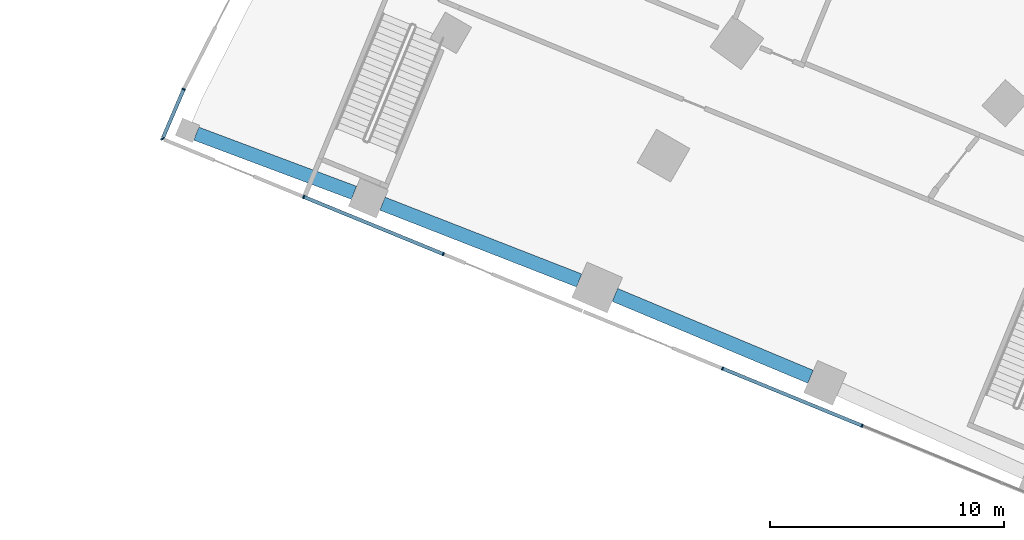
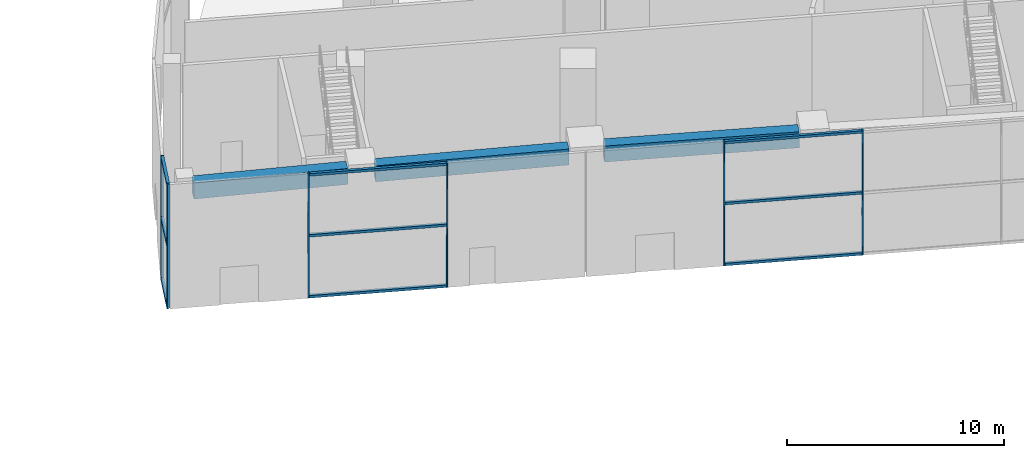
# One storey, part 7 of 60: 15 members, 3 beams, 2 elements without a shape of their own.
"""IFC4 building model written with IfcOpenShell, lengths in metres."""

from ifc_helpers import new_model, si_unit, direction, frame, origin, origin_2d, place, context, subcontext, project, spatial, rectangle, extrude, material, layer, layer_set, material_profile, profile_set, type_object, element, aggregate, save


model = new_model("IFC4")

# Units and contexts
model_context = context("Model", 3, precision=1e-05, world=origin(), true_north=direction((0.0, 1.0)))
body_context = subcontext(model_context, "Body", "Model", "MODEL_VIEW")
ifc_project = project(units=[si_unit("LENGTHUNIT", "METRE"), si_unit("AREAUNIT", "SQUARE_METRE"), si_unit("VOLUMEUNIT", "CUBIC_METRE"), si_unit("PLANEANGLEUNIT", "RADIAN"), si_unit("MASSUNIT", "GRAM", prefix="KILO")], contexts=[model_context])

# Site, building, storey
site_placement = place(None, origin())
site = spatial("IfcSite", under=ifc_project, at=site_placement, CompositionType="ELEMENT")
building_placement = place(site_placement, origin())
building = spatial("IfcBuilding", under=site, at=building_placement, Name="Stone Belt Terrace Tower", CompositionType="ELEMENT")
storey_placement = place(building_placement, origin())
storey = spatial("IfcBuildingStorey", under=building, at=storey_placement, Name="L00", CompositionType="ELEMENT", Elevation=0.0)

# Curtain wall, member
ifc_material_1 = material(Name="Aluminium 6063-T6 anodised frame", Category="aluminium")
ifc_layer = layer(ifc_material_1, 0.14990234375)
ifc_layer_set = layer_set([ifc_layer], Name="CW-D podium shopfront")
curtain_wall_type = type_object("IfcCurtainWallType", Name="CW-D podium shopfront", PredefinedType="NOTDEFINED", material=ifc_layer_set)
curtain_wall_1_placement = place(storey_placement, origin())
curtain_wall_1 = element("IfcCurtainWall", 1, at=curtain_wall_1_placement, inside=storey, type_object=curtain_wall_type, Name="CW-D convex face L00", PredefinedType="NOTDEFINED")
ifc_material_profile_1 = material_profile(ifc_material_1, rectangle(XDim=0.14990234375, YDim=0.06005859375, at=origin_2d()), Name="Aluminium 6063-T6 60x150")
ifc_profile_set_1 = profile_set([ifc_material_profile_1], Name="Aluminium 6063-T6 anodised frame")
member_type_1 = type_object("IfcMemberType", Name="CW-D mullion 60 x 150", PredefinedType="MULLION", material=ifc_profile_set_1)
member_1_placement = place(storey_placement, frame((-68.127197265625, 30.333740234375, 0.0), z_axis=(0.0, 0.0, 1.0), x_axis=(0.905778201442, -0.423752108895, 0.0)))
member_1 = element("IfcMember", 2, at=member_1_placement, type_object=member_type_1, Name="CW-D mullion 24", PredefinedType="MULLION", context=body_context, shape_type="SweptSolid", body=[
    extrude(rectangle(XDim=0.14990234375, YDim=0.06005859375, at=origin_2d()), origin(), (0.0, 0.0, 1.0), 7.0),
])

# Curtain wall, members
curtain_wall_2_placement = place(storey_placement, origin())
curtain_wall_2 = element("IfcCurtainWall", 3, at=curtain_wall_2_placement, inside=storey, type_object=curtain_wall_type, Name="CW-D end face L00", PredefinedType="NOTDEFINED")
member_2_placement = place(storey_placement, frame((-69.033447265625, 28.213134765625, 0.0), z_axis=(0.0, 0.0, 1.0), x_axis=(0.925309719849, 0.379212239192, 0.0)))
member_2 = element("IfcMember", 4, at=member_2_placement, type_object=member_type_1, Name="CW-D mullion 1", PredefinedType="MULLION", context=body_context, shape_type="SweptSolid", body=[
    extrude(rectangle(XDim=0.14990234375, YDim=0.06005859375, at=origin_2d()), origin(), (0.0, 0.0, 1.0), 7.0),
])
member_3_placement = place(storey_placement, frame((-63.0, 25.740234375, 0.0), z_axis=(0.0, 0.0, 1.0), x_axis=(0.379243093825, 0.925297074342, 0.0)))
member_3 = element("IfcMember", 5, at=member_3_placement, type_object=member_type_1, Name="CW-D mullion 2", PredefinedType="MULLION", context=body_context, shape_type="SweptSolid", body=[
    extrude(rectangle(XDim=0.14990234375, YDim=0.06005859375, at=origin_2d()), origin(), (0.0, 0.0, 1.0), 7.0),
])
member_4_placement = place(storey_placement, frame((-57.037109375, 23.296142578125, 0.0), z_axis=(0.0, 0.0, 1.0), x_axis=(0.379243093825, 0.925297074342, 0.0)))
member_4 = element("IfcMember", 6, at=member_4_placement, type_object=member_type_1, Name="CW-D mullion 3", PredefinedType="MULLION", context=body_context, shape_type="SweptSolid", body=[
    extrude(rectangle(XDim=0.14990234375, YDim=0.06005859375, at=origin_2d()), origin(), (0.0, 0.0, 1.0), 7.0),
])
member_5_placement = place(storey_placement, frame((-45.111083984375, 18.408203125, 0.0), z_axis=(0.0, 0.0, 1.0), x_axis=(0.379243093825, 0.925297074342, 0.0)))
member_5 = element("IfcMember", 7, at=member_5_placement, type_object=member_type_1, Name="CW-D mullion 5", PredefinedType="MULLION", context=body_context, shape_type="SweptSolid", body=[
    extrude(rectangle(XDim=0.14990234375, YDim=0.06005859375, at=origin_2d()), origin(), (0.0, 0.0, 1.0), 7.0),
])
member_6_placement = place(storey_placement, frame((-39.14794921875, 15.964111328125, 0.0), z_axis=(0.0, 0.0, 1.0), x_axis=(0.379243093825, 0.925297074342, 0.0)))
member_6 = element("IfcMember", 8, at=member_6_placement, type_object=member_type_1, Name="CW-D mullion 6", PredefinedType="MULLION", context=body_context, shape_type="SweptSolid", body=[
    extrude(rectangle(XDim=0.14990234375, YDim=0.06005859375, at=origin_2d()), origin(), (0.0, 0.0, 1.0), 7.0),
])

# Member
ifc_material_profile_2 = material_profile(ifc_material_1, rectangle(XDim=0.14990234375, YDim=0.139892578125, at=origin_2d()), Name="Aluminium 6063-T6 150x140")
ifc_profile_set_2 = profile_set([ifc_material_profile_2], Name="Aluminium 6063-T6 anodised frame")
member_type_2 = type_object("IfcMemberType", Name="CW-D transom 140 x 150", PredefinedType="USERDEFINED", material=ifc_profile_set_2)
member_7_placement = place(storey_placement, frame((-68.139892578125, 30.3037109375, 0.070068359375), z_axis=(-0.39299460879, -0.919540775312, 0.0), x_axis=(0.919540775312, -0.39299460879, 0.0)))
member_7 = element("IfcMember", 9, at=member_7_placement, type_object=member_type_2, Name="CW-D transom 24.1", ObjectType="TRANSOM", PredefinedType="USERDEFINED", context=body_context, shape_type="SweptSolid", body=[
    extrude(rectangle(XDim=0.14990234375, YDim=0.139892578125, at=origin_2d()), origin(), (0.0, 0.0, 1.0), 2.19921875),
])

member_8_placement = place(storey_placement, frame((-68.139892578125, 30.3037109375, 3.5), z_axis=(-0.39299460879, -0.919540775312, 0.0), x_axis=(0.919540775312, -0.39299460879, 0.0)))
member_8 = element("IfcMember", 10, at=member_8_placement, type_object=member_type_2, Name="CW-D transom 24.2", ObjectType="TRANSOM", PredefinedType="USERDEFINED", context=body_context, shape_type="SweptSolid", body=[
    extrude(rectangle(XDim=0.14990234375, YDim=0.139892578125, at=origin_2d()), origin(), (0.0, 0.0, 1.0), 2.19921875),
])

member_9_placement = place(storey_placement, frame((-68.139892578125, 30.3037109375, 6.929931640625), z_axis=(-0.39299460879, -0.919540775312, 0.0), x_axis=(0.919540775312, -0.39299460879, 0.0)))
member_9 = element("IfcMember", 11, at=member_9_placement, type_object=member_type_2, Name="CW-D transom 24.3", ObjectType="TRANSOM", PredefinedType="USERDEFINED", context=body_context, shape_type="SweptSolid", body=[
    extrude(rectangle(XDim=0.14990234375, YDim=0.139892578125, at=origin_2d()), origin(), (0.0, 0.0, 1.0), 2.19921875),
])

aggregate(curtain_wall_1, [member_1, member_7, member_8, member_9])

member_10_placement = place(storey_placement, frame((-62.972412109375, 25.728759765625, 0.070068359375), z_axis=(0.925307998203, -0.379216440126, 0.0), x_axis=(0.379216440126, 0.925307998203, 0.0)))
member_10 = element("IfcMember", 12, at=member_10_placement, type_object=member_type_2, Name="CW-D transom 2.1", ObjectType="TRANSOM", PredefinedType="USERDEFINED", context=body_context, shape_type="SweptSolid", body=[
    extrude(rectangle(XDim=0.14990234375, YDim=0.139892578125, at=origin_2d()), origin(), (0.0, 0.0, 1.0), 6.384521484375),
])

member_11_placement = place(storey_placement, frame((-62.972412109375, 25.728759765625, 3.5), z_axis=(0.925307998203, -0.379216440126, 0.0), x_axis=(0.379216440126, 0.925307998203, 0.0)))
member_11 = element("IfcMember", 13, at=member_11_placement, type_object=member_type_2, Name="CW-D transom 2.2", ObjectType="TRANSOM", PredefinedType="USERDEFINED", context=body_context, shape_type="SweptSolid", body=[
    extrude(rectangle(XDim=0.14990234375, YDim=0.139892578125, at=origin_2d()), origin(), (0.0, 0.0, 1.0), 6.384521484375),
])

member_12_placement = place(storey_placement, frame((-62.972412109375, 25.728759765625, 6.929931640625), z_axis=(0.925307998203, -0.379216440126, 0.0), x_axis=(0.379216440126, 0.925307998203, 0.0)))
member_12 = element("IfcMember", 14, at=member_12_placement, type_object=member_type_2, Name="CW-D transom 2.3", ObjectType="TRANSOM", PredefinedType="USERDEFINED", context=body_context, shape_type="SweptSolid", body=[
    extrude(rectangle(XDim=0.14990234375, YDim=0.139892578125, at=origin_2d()), origin(), (0.0, 0.0, 1.0), 6.384521484375),
])

member_13_placement = place(storey_placement, frame((-45.083251953125, 18.396728515625, 0.070068359375), z_axis=(0.925302498943, -0.37922985833, 0.0), x_axis=(0.37922985833, 0.925302498943, 0.0)))
member_13 = element("IfcMember", 15, at=member_13_placement, type_object=member_type_2, Name="CW-D transom 5.1", ObjectType="TRANSOM", PredefinedType="USERDEFINED", context=body_context, shape_type="SweptSolid", body=[
    extrude(rectangle(XDim=0.14990234375, YDim=0.139892578125, at=origin_2d()), origin(), (0.0, 0.0, 1.0), 6.38427734375),
])

member_14_placement = place(storey_placement, frame((-45.083251953125, 18.396728515625, 3.5), z_axis=(0.925302498943, -0.37922985833, 0.0), x_axis=(0.37922985833, 0.925302498943, 0.0)))
member_14 = element("IfcMember", 16, at=member_14_placement, type_object=member_type_2, Name="CW-D transom 5.2", ObjectType="TRANSOM", PredefinedType="USERDEFINED", context=body_context, shape_type="SweptSolid", body=[
    extrude(rectangle(XDim=0.14990234375, YDim=0.139892578125, at=origin_2d()), origin(), (0.0, 0.0, 1.0), 6.38427734375),
])

member_15_placement = place(storey_placement, frame((-45.083251953125, 18.396728515625, 6.929931640625), z_axis=(0.925302498943, -0.37922985833, 0.0), x_axis=(0.37922985833, 0.925302498943, 0.0)))
member_15 = element("IfcMember", 17, at=member_15_placement, type_object=member_type_2, Name="CW-D transom 5.3", ObjectType="TRANSOM", PredefinedType="USERDEFINED", context=body_context, shape_type="SweptSolid", body=[
    extrude(rectangle(XDim=0.14990234375, YDim=0.139892578125, at=origin_2d()), origin(), (0.0, 0.0, 1.0), 6.38427734375),
])

aggregate(curtain_wall_2, [member_2, member_3, member_4, member_5, member_6, member_10, member_11, member_12, member_13, member_14, member_15])

# Beams
ifc_material_2 = material(Name="Concrete B60", Category="concrete")
ifc_material_profile_3 = material_profile(ifc_material_2, rectangle(XDim=0.60009765625, YDim=0.89990234375, at=origin_2d()), Name="RC 600x900")
ifc_profile_set_3 = profile_set([ifc_material_profile_3], Name="Concrete B60")
beam_type = type_object("IfcBeamType", Name="Edge beam RC 600x900 B60", PredefinedType="SPANDREL", material=ifc_profile_set_3)
beam_1_placement = place(storey_placement, frame((-41.35009765625, 18.05517578125, 6.14990234375), z_axis=(-0.922576038767, 0.385815309044, 0.0), x_axis=(-0.385815309044, -0.922576038767, 0.0)))
element("IfcBeam", 18, at=beam_1_placement, inside=storey, type_object=beam_type, Name="Edge beam L00 A P to Q", PredefinedType="SPANDREL", context=body_context, shape_type="SweptSolid", body=[
    extrude(rectangle(XDim=0.60009765625, YDim=0.89990234375, at=origin_2d()), origin(), (0.0, 0.0, 1.0), 9.055908203125),
])
beam_2_placement = place(storey_placement, frame((-51.235107421875, 22.167724609375, 6.14990234375), z_axis=(-0.931488596429, 0.363770524813, 0.0), x_axis=(-0.363770524813, -0.931488596429, 0.0)))
element("IfcBeam", 19, at=beam_2_placement, inside=storey, type_object=beam_type, Name="Edge beam L00 A Q to R", PredefinedType="SPANDREL", context=body_context, shape_type="SweptSolid", body=[
    extrude(rectangle(XDim=0.60009765625, YDim=0.89990234375, at=origin_2d()), origin(), (0.0, 0.0, 1.0), 9.018798828125),
])
beam_3_placement = place(storey_placement, frame((-60.85107421875, 25.913330078125, 6.14990234375), z_axis=(-0.936357063025, 0.351049071389, 0.0), x_axis=(-0.351049071389, -0.936357063025, 0.0)))
element("IfcBeam", 20, at=beam_3_placement, inside=storey, type_object=beam_type, Name="Edge beam L00 A R to S", PredefinedType="SPANDREL", context=body_context, shape_type="SweptSolid", body=[
    extrude(rectangle(XDim=0.60009765625, YDim=0.89990234375, at=origin_2d()), origin(), (0.0, 0.0, 1.0), 7.1953125),
])

save(model, "model.ifc")
